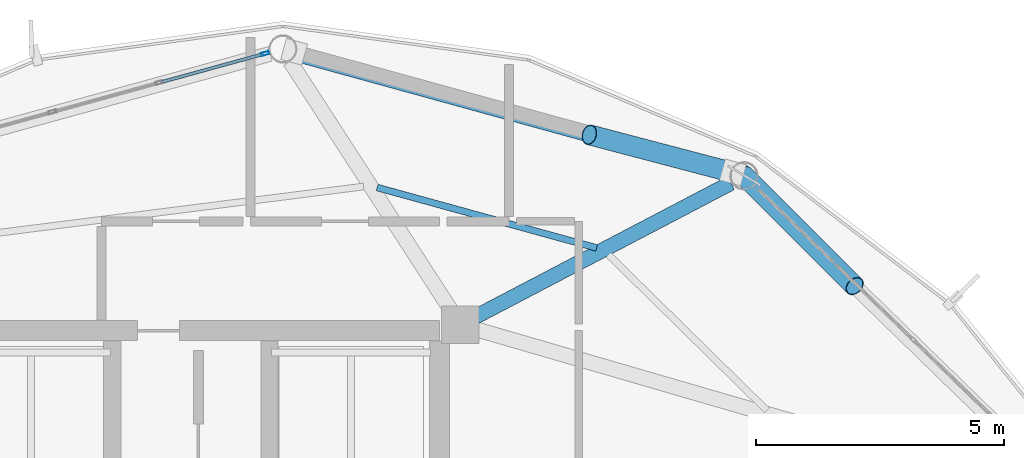
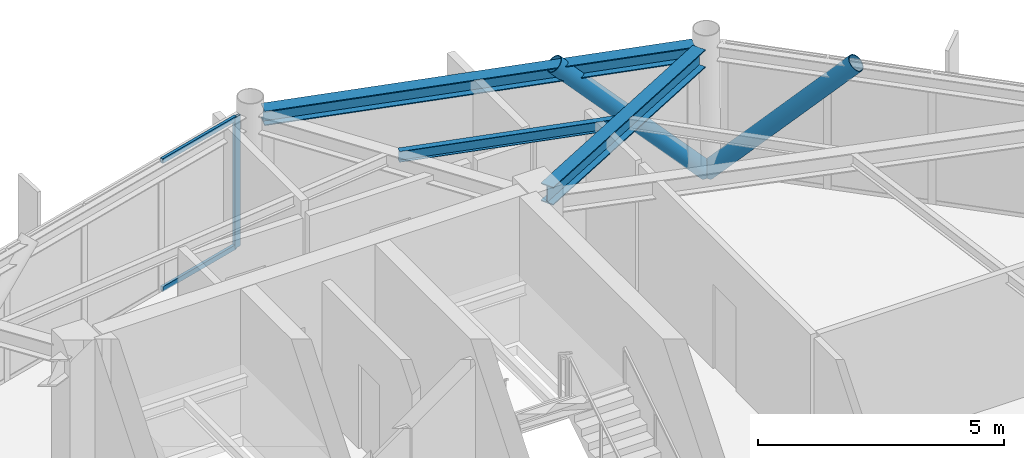
# One storey, part 20 of 28: 5 members, 3 beams, 1 element without a shape of its own.
"""IFC4 building model written with IfcOpenShell, lengths in metres."""

import ifcopenshell
import ifcopenshell.guid

model = None  # the IFC model being written
_history = None  # IfcOwnerHistory: only IFC2X3 demands one
_inside = {}  # id of a spatial element -> (the spatial element, [elements in it])
_under = {}  # id of a project, library or spatial element -> (it, [spatial elements below it])
_declared = {}  # id of a project -> (the project, [libraries it declares])
_typed = {}  # id of a type object -> (the type object, [elements of that type])
_made_of = {}  # id of a material, layer set ... -> (it, [elements and type objects made of it])


def new_model(schema):
    """Start an empty IFC model of exactly this schema.

    Asked for "IFC4X3", IfcOpenShell would pick the latest addendum, in which some entities
    have other attributes; the version numbers below select the first issue.
    IFC2X3 requires an IfcOwnerHistory on every rooted entity: one is made here for all.
    """
    global model, _history
    if schema == "IFC4X3":
        model = ifcopenshell.file(schema_version=(4, 3, 0, 0))
    else:
        model = ifcopenshell.file(schema=schema)
    _inside.clear()
    _under.clear()
    _declared.clear()
    _typed.clear()
    _made_of.clear()
    _history = None
    if model.schema == "IFC2X3":
        org = make("IfcOrganization", Name="unknown")
        user = make(
            "IfcPersonAndOrganization",
            ThePerson=make("IfcPerson", FamilyName="unknown"),
            TheOrganization=org,
        )
        app = make(
            "IfcApplication",
            ApplicationDeveloper=org,
            Version="unknown",
            ApplicationFullName="unknown",
            ApplicationIdentifier="unknown",
        )
        _history = make(
            "IfcOwnerHistory",
            OwningUser=user,
            OwningApplication=app,
            ChangeAction="ADDED",
            CreationDate=0,
        )
    return model


def make(cls, **values):
    """One entity of the class cls with the attributes given. An attribute that is None is left unset."""
    return model.create_entity(
        cls, **{name: value for name, value in values.items() if value is not None}
    )


def rooted(cls, **values):
    """An entity with a GlobalId (a new one), such as an element, a storey or a relation."""
    return make(cls, GlobalId=ifcopenshell.guid.new(), OwnerHistory=_history, **values)


def si_unit(unit_type, name, prefix=None):
    """IfcSIUnit, for example si_unit("LENGTHUNIT", "METRE", prefix="MILLI")."""
    return make("IfcSIUnit", UnitType=unit_type, Prefix=prefix, Name=name)


def assignment(units):
    """IfcUnitAssignment: the units of a project."""
    return None if units is None else make("IfcUnitAssignment", Units=units)


def point(xyz):
    """IfcCartesianPoint."""
    return None if xyz is None else make("IfcCartesianPoint", Coordinates=xyz)


def direction(xyz):
    """IfcDirection."""
    return None if xyz is None else make("IfcDirection", DirectionRatios=xyz)


def frame(location, z_axis=None, x_axis=None):
    """IfcAxis2Placement3D, a coordinate frame: its origin and axes. An axis left out is left unset."""
    return make(
        "IfcAxis2Placement3D",
        Location=point(location),
        Axis=direction(z_axis),
        RefDirection=direction(x_axis),
    )


def frame_2d(location, x_axis=None):
    """IfcAxis2Placement2D, a coordinate frame in the plane: its origin and x axis."""
    return make(
        "IfcAxis2Placement2D", Location=point(location), RefDirection=direction(x_axis)
    )


def origin():
    """The frame at (0, 0, 0) with its axes left unset."""
    return frame((0.0, 0.0, 0.0))


def origin_2d():
    """The frame at (0, 0) in the plane with its x axis left unset."""
    return frame_2d((0.0, 0.0))


def place(relative_to, where):
    """IfcLocalPlacement: puts the frame where relative to a parent placement (None: the world)."""
    return make(
        "IfcLocalPlacement", PlacementRelTo=relative_to, RelativePlacement=where
    )


def context(
    kind, dimensions, precision=None, world=None, true_north=None, identifier=None
):
    """IfcGeometricRepresentationContext, for example the 3D "Model" context."""
    return make(
        "IfcGeometricRepresentationContext",
        ContextIdentifier=identifier,
        ContextType=kind,
        CoordinateSpaceDimension=dimensions,
        Precision=precision,
        WorldCoordinateSystem=world,
        TrueNorth=true_north,
    )


def subcontext(parent, identifier, kind, view, scale=None):
    """IfcGeometricRepresentationSubContext, for example "Body" below "Model"."""
    return make(
        "IfcGeometricRepresentationSubContext",
        ContextIdentifier=identifier,
        ContextType=kind,
        ParentContext=parent,
        TargetScale=scale,
        TargetView=view,
    )


def project(units=None, contexts=None):
    """IfcProject with its units and contexts."""
    return rooted(
        "IfcProject",
        Name="project",
        RepresentationContexts=contexts,
        UnitsInContext=assignment(units),
    )


def spatial(cls, under=None, at=None, **own):
    """A site, building, storey or space (cls), placed at a placement, below another one or the project."""
    s = rooted(cls, ObjectPlacement=at, **own)
    if under is not None:
        _under.setdefault(under.id(), (under, []))[1].append(s)
    return s


def profile(cls, at=None, kind="AREA", **sizes):
    """A parametric profile (cls). Its sizes go by their IFC names, for example OverallWidth=200.0."""
    return make(cls, ProfileType=kind, Position=at, **sizes)


def hollow_rectangle(**sizes):
    """IfcRectangleHollowProfileDef."""
    return profile("IfcRectangleHollowProfileDef", **sizes)


def hollow_circle(**sizes):
    """IfcCircleHollowProfileDef."""
    return profile("IfcCircleHollowProfileDef", **sizes)


def i_section(**sizes):
    """IfcIShapeProfileDef."""
    return profile("IfcIShapeProfileDef", **sizes)


def extrude(swept, where, along, depth):
    """IfcExtrudedAreaSolid: the profile swept, set in the frame where, extruded along a direction by depth."""
    return make(
        "IfcExtrudedAreaSolid",
        SweptArea=swept,
        Position=where,
        ExtrudedDirection=direction(along),
        Depth=depth,
    )


def shape(context_of_items, identifier, shape_type, items):
    """IfcShapeRepresentation: the items that make up one representation, for example the "Body"."""
    return make(
        "IfcShapeRepresentation",
        ContextOfItems=context_of_items,
        RepresentationIdentifier=identifier,
        RepresentationType=shape_type,
        Items=items,
    )


def material(Name=None, Category=None):
    """IfcMaterial."""
    return make("IfcMaterial", Name=Name, Category=Category)


def layer(
    of_material, thickness, ventilated=None, Name=None, Category=None, Priority=None
):
    """IfcMaterialLayer: one layer of a wall or slab, of a material (None: an air gap)."""
    return make(
        "IfcMaterialLayer",
        Material=of_material,
        LayerThickness=thickness,
        IsVentilated=ventilated,
        Name=Name,
        Category=Category,
        Priority=Priority,
    )


def layer_set(layers, Name=None):
    """IfcMaterialLayerSet."""
    return make("IfcMaterialLayerSet", MaterialLayers=layers, LayerSetName=Name)


def material_profile(
    of_material, cross_section, Name=None, Category=None, Priority=None
):
    """IfcMaterialProfile: a cross section and its material."""
    return make(
        "IfcMaterialProfile",
        Name=Name,
        Material=of_material,
        Profile=cross_section,
        Priority=Priority,
        Category=Category,
    )


def profile_set(profiles, Name=None, composite=None):
    """IfcMaterialProfileSet."""
    return make(
        "IfcMaterialProfileSet",
        Name=Name,
        MaterialProfiles=profiles,
        CompositeProfile=composite,
    )


def made_of(thing, what):
    """Note that an element or type object is made of a material, layer set ...; save() writes the relation."""
    if what is not None:
        _made_of.setdefault(what.id(), (what, []))[1].append(thing)
    return thing


def type_object(cls, material=None, **own):
    """A type object (cls), such as IfcWallType, which elements share."""
    return made_of(rooted(cls, **own), material)


def element(
    cls,
    number,
    at=None,
    inside=None,
    cuts=None,
    type_object=None,
    material=None,
    context=None,
    identifier="Body",
    shape_type=None,
    held_by="IfcProductDefinitionShape",
    body=None,
    shapes=None,
    **own,
):
    """One element of the class cls, such as IfcWall. Its Tag is "e" and its number.

    at: its placement. inside: the storey or other place that contains it. cuts: it is an
    opening in that element (IfcRelVoidsElement). A single representation is given by context,
    identifier, shape_type and body (its items); several are given by shapes. held_by: the class
    of the entity that holds the representations. save() writes the other relations.
    """
    e = rooted(cls, Tag="e%d" % number, ObjectPlacement=at, **own)
    if body is not None:
        shapes = [shape(context, identifier, shape_type, body)]
    if shapes is not None:
        e.Representation = make(held_by, Representations=shapes)
    if inside is not None:
        _inside.setdefault(inside.id(), (inside, []))[1].append(e)
    if cuts is not None:
        rooted(
            "IfcRelVoidsElement", RelatingBuildingElement=cuts, RelatedOpeningElement=e
        )
    if type_object is not None:
        _typed.setdefault(type_object.id(), (type_object, []))[1].append(e)
    return made_of(e, material)


def aggregate(whole, parts):
    """IfcRelAggregates: a whole, such as a stair, and the parts it consists of."""
    return rooted("IfcRelAggregates", RelatingObject=whole, RelatedObjects=parts)


def save(model, path):
    """Write the relations noted so far, then the file.

    IfcRelAggregates (storeys below a building ...), IfcRelContainedInSpatialStructure (elements
    in a storey), IfcRelDefinesByType, IfcRelAssociatesMaterial and IfcRelDeclares: one each for
    every whole, place, type object, material and project.
    """
    for whole, parts in _under.values():
        aggregate(whole, parts)
    for where, things in _inside.values():
        rooted(
            "IfcRelContainedInSpatialStructure",
            RelatedElements=things,
            RelatingStructure=where,
        )
    for kind, things in _typed.values():
        rooted("IfcRelDefinesByType", RelatedObjects=things, RelatingType=kind)
    for what, things in _made_of.values():
        rooted("IfcRelAssociatesMaterial", RelatedObjects=things, RelatingMaterial=what)
    for by, libraries in _declared.values():
        rooted("IfcRelDeclares", RelatingContext=by, RelatedDefinitions=libraries)
    model.write(path)


model = new_model("IFC4")

# Units and contexts
model_context = context("Model", 3, precision=1e-05, world=origin(), true_north=direction((0.0, 1.0)))
body_context = subcontext(model_context, "Body", "Model", "MODEL_VIEW")
ifc_project = project(units=[si_unit("LENGTHUNIT", "METRE"), si_unit("AREAUNIT", "SQUARE_METRE"), si_unit("VOLUMEUNIT", "CUBIC_METRE"), si_unit("PLANEANGLEUNIT", "RADIAN"), si_unit("MASSUNIT", "GRAM", prefix="KILO")], contexts=[model_context])

# Site, building, storey
site_placement = place(None, origin())
site = spatial("IfcSite", under=ifc_project, at=site_placement, CompositionType="ELEMENT")
building_placement = place(site_placement, origin())
building = spatial("IfcBuilding", under=site, at=building_placement, Name="Varnakorn Sky Granary", CompositionType="ELEMENT")
storey_placement = place(building_placement, frame((0.0, 0.0, 236.39990234375)))
storey = spatial("IfcBuildingStorey", under=building, at=storey_placement, Name="L60", CompositionType="ELEMENT", Elevation=236.39990234375)

# Beams
ifc_material_1 = material(Name="Steel S355JR", Category="steel")
ifc_material_profile_1 = material_profile(ifc_material_1, i_section(OverallWidth=0.300048828125, OverallDepth=0.449951171875, WebThickness=0.013916015625, FlangeThickness=0.02587890625, at=origin_2d()), Name="HE 450 B")
ifc_profile_set_1 = profile_set([ifc_material_profile_1], Name="Steel S355JR")
beam_type_1 = type_object("IfcBeamType", Name="BM-RAD-Z5", PredefinedType="BEAM", material=ifc_profile_set_1)
beam_1_placement = place(storey_placement, frame((8.734619140625, 12.78466796875, 3.025146484375), z_axis=(0.885913231952, 0.463850994882, 0.0), x_axis=(-0.463850994882, 0.885913231952, 0.0)))
element("IfcBeam", 1, at=beam_1_placement, inside=storey, type_object=beam_type_1, Name="Radial Floor Girder RG03 L60", PredefinedType="BEAM", context=body_context, shape_type="SweptSolid", body=[
    extrude(i_section(OverallWidth=0.300048828125, OverallDepth=0.449951171875, WebThickness=0.013916015625, FlangeThickness=0.02587890625, at=origin_2d()), origin(), (0.0, 0.0, 1.0), 5.789794921875),
])
ifc_material_profile_2 = material_profile(ifc_material_1, i_section(OverallWidth=0.135009765625, OverallDepth=0.27001953125, WebThickness=0.006591796875, FlangeThickness=0.01025390625, at=origin_2d()), Name="IPE 270")
ifc_profile_set_2 = profile_set([ifc_material_profile_2], Name="Steel S355JR")
beam_type_2 = type_object("IfcBeamType", Name="BM-SEC-Z5", PredefinedType="BEAM", material=ifc_profile_set_2)
beam_2_placement = place(storey_placement, frame((11.1640625, 14.16455078125, 3.114990234375), z_axis=(-0.964140331244, 0.265392957084, 0.0), x_axis=(-0.265392957084, -0.964140331244, 0.0)))
element("IfcBeam", 2, at=beam_2_placement, inside=storey, type_object=beam_type_2, Name="Secondary Floor Chord Beam MSB03 L60", PredefinedType="BEAM", context=body_context, shape_type="SweptSolid", body=[
    extrude(i_section(OverallWidth=0.135009765625, OverallDepth=0.27001953125, WebThickness=0.006591796875, FlangeThickness=0.01025390625, at=origin_2d()), origin(), (0.0, 0.0, 1.0), 4.5830078125),
])
ifc_material_profile_3 = material_profile(ifc_material_1, i_section(OverallWidth=0.300048828125, OverallDepth=0.360107421875, WebThickness=0.012451171875, FlangeThickness=0.0224609375, at=origin_2d()), Name="HE 360 B")
ifc_profile_set_3 = profile_set([ifc_material_profile_3], Name="Steel S355JR")
beam_type_3 = type_object("IfcBeamType", Name="BM-SPD-Z5", PredefinedType="SPANDREL", material=ifc_profile_set_3)
beam_3_placement = place(storey_placement, frame((13.843017578125, 15.6630859375, 3.070068359375), z_axis=(-0.964098741197, 0.265544002423, 0.0), x_axis=(-0.265544002423, -0.964098741197, 0.0)))
element("IfcBeam", 3, at=beam_3_placement, inside=storey, type_object=beam_type_3, Name="Perimeter Spandrel Ring Beam RB03 L60", PredefinedType="SPANDREL", context=body_context, shape_type="SweptSolid", body=[
    extrude(i_section(OverallWidth=0.300048828125, OverallDepth=0.360107421875, WebThickness=0.012451171875, FlangeThickness=0.0224609375, at=origin_2d()), origin(), (0.0, 0.0, 1.0), 9.0634765625),
])

# Curtain wall, members
ifc_material_2 = material(Name="Anodised Bronze Aluminium Alloy 6063-T6", Category="aluminium")
ifc_layer = layer(ifc_material_2, 0.159912109375, Name="Anodised Bronze Aluminium Alloy 6063-T6")
ifc_layer_set = layer_set([ifc_layer], Name="Anodised Bronze Aluminium Alloy 6063-T6")
curtain_wall_type = type_object("IfcCurtainWallType", Name="CW-OFF-1", PredefinedType="USERDEFINED", material=ifc_layer_set)
curtain_wall_placement = place(storey_placement, origin())
curtain_wall = element("IfcCurtainWall", 4, at=curtain_wall_placement, inside=storey, type_object=curtain_wall_type, Name="Unitised Curtain Wall CW6 CW-L60-B04", ObjectType="CURTAIN WALL", PredefinedType="USERDEFINED")
ifc_material_profile_4 = material_profile(ifc_material_2, hollow_rectangle(XDim=0.06494140625, YDim=0.159912109375, WallThickness=0.00341796875, at=origin_2d()), Name="ALU MULL 65x160")
ifc_profile_set_4 = profile_set([ifc_material_profile_4], Name="Anodised Bronze Aluminium Alloy 6063-T6")
member_type_1 = type_object("IfcMemberType", Name="CW-OFF-1-MULL", PredefinedType="MULLION", material=ifc_profile_set_4)
member_1_placement = place(storey_placement, frame((4.4912109375, 18.075439453125, 0.0), z_axis=(0.0, 0.0, 1.0), x_axis=(-0.265100109625, 0.964220893715, 0.0)))
member_1 = element("IfcMember", 5, at=member_1_placement, type_object=member_type_1, Name="CW6 mullion 5", PredefinedType="MULLION", context=body_context, shape_type="SweptSolid", body=[
    extrude(hollow_rectangle(XDim=0.06494140625, YDim=0.159912109375, WallThickness=0.00341796875, at=origin_2d()), origin(), (0.0, 0.0, 1.0), 3.25),
])
ifc_material_profile_5 = material_profile(ifc_material_2, hollow_rectangle(XDim=0.06494140625, YDim=0.1201171875, WallThickness=0.00341796875, at=origin_2d()), Name="ALU TRAN 65x120")
ifc_profile_set_5 = profile_set([ifc_material_profile_5], Name="Anodised Bronze Aluminium Alloy 6063-T6")
member_type_2 = type_object("IfcMemberType", Name="CW-OFF-1-TRAN", PredefinedType="USERDEFINED", material=ifc_profile_set_5)
member_2_placement = place(storey_placement, frame((2.397216796875, 17.499755859375, 0.03271484375), z_axis=(0.964248417644, 0.264999979379, 0.0), x_axis=(-0.264999979379, 0.964248417644, 0.0)))
member_2 = element("IfcMember", 6, at=member_2_placement, type_object=member_type_2, Name="CW6 transom 4.1", ObjectType="TRANSOM", PredefinedType="USERDEFINED", context=body_context, shape_type="SweptSolid", body=[
    extrude(hollow_rectangle(XDim=0.06494140625, YDim=0.1201171875, WallThickness=0.00341796875, at=origin_2d()), origin(), (0.0, 0.0, 1.0), 2.13916015625),
])
member_3_placement = place(storey_placement, frame((2.397216796875, 17.499755859375, 3.217529296875), z_axis=(0.964248417644, 0.264999979379, 0.0), x_axis=(-0.264999979379, 0.964248417644, 0.0)))
member_3 = element("IfcMember", 7, at=member_3_placement, type_object=member_type_2, Name="CW6 transom 4.2", ObjectType="TRANSOM", PredefinedType="USERDEFINED", context=body_context, shape_type="SweptSolid", body=[
    extrude(hollow_rectangle(XDim=0.06494140625, YDim=0.1201171875, WallThickness=0.00341796875, at=origin_2d()), origin(), (0.0, 0.0, 1.0), 2.13916015625),
])
aggregate(curtain_wall, [member_1, member_2, member_3])

# Members
ifc_material_3 = material(Name="Steel S460M", Category="steel")
ifc_material_profile_6 = material_profile(ifc_material_3, hollow_circle(Radius=0.203125, WallThickness=0.01611328125, at=origin_2d()), Name="CHS 406.4x16")
ifc_profile_set_6 = profile_set([ifc_material_profile_6], Name="Steel S460M")
member_type_3 = type_object("IfcMemberType", Name="MB-DIAG-T4", PredefinedType="BRACE", material=ifc_profile_set_6)
member_4_placement = place(storey_placement, frame((14.131591796875, 15.622314453125, 0.0), z_axis=(0.491473828603, -0.492175471451, 0.718482276121), x_axis=(0.707610984606, 0.706602217987, 0.0)))
element("IfcMember", 8, at=member_4_placement, inside=storey, type_object=member_type_3, Name="Perimeter CHS Diagrid Brace DG02 L60", PredefinedType="BRACE", context=body_context, shape_type="SweptSolid", body=[
    extrude(hollow_circle(Radius=0.203125, WallThickness=0.01611328125, at=origin_2d()), origin(), (0.0, 0.0, 1.0), 4.5234375),
])
member_5_placement = place(storey_placement, frame((14.131591796875, 15.622314453125, 0.0), z_axis=(-0.680905513276, 0.179081777504, 0.710138999743), x_axis=(-0.254355303555, -0.9671108414, 0.0)))
element("IfcMember", 9, at=member_5_placement, inside=storey, type_object=member_type_3, Name="Perimeter CHS Diagrid Brace DG03 L60", PredefinedType="BRACE", context=body_context, shape_type="SweptSolid", body=[
    extrude(hollow_circle(Radius=0.203125, WallThickness=0.01611328125, at=origin_2d()), origin(), (0.0, 0.0, 1.0), 4.57666015625),
])

save(model, "model.ifc")
